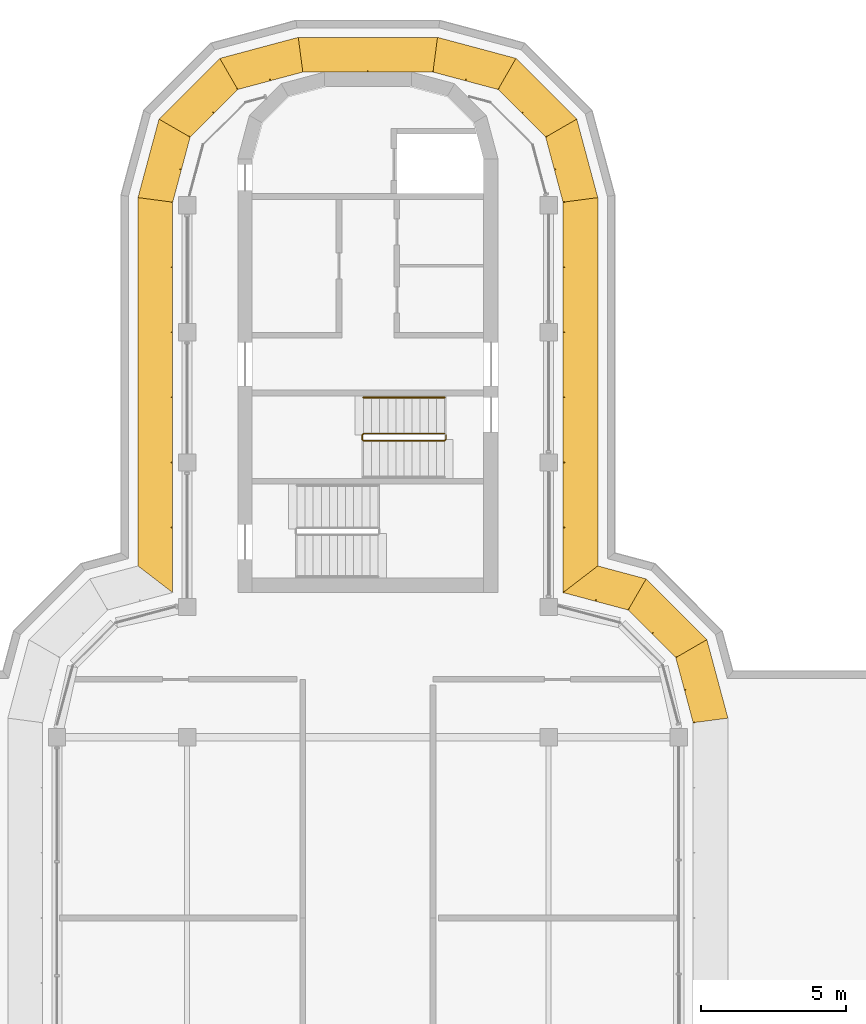
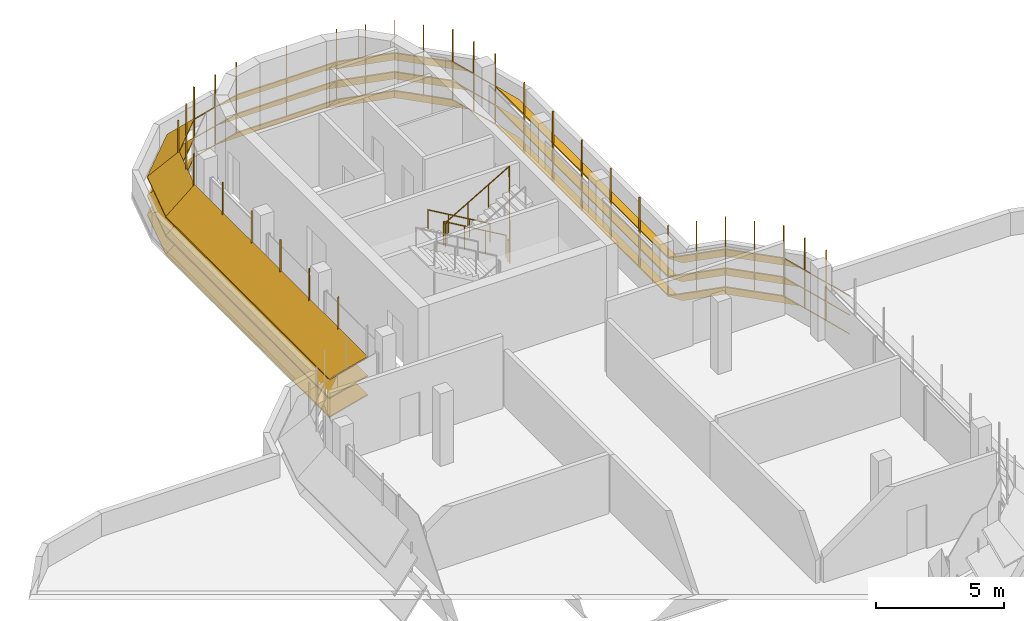
# One storey, part 13 of 13: 6 shading devices, 2 railings.
"""IFC4 building model written with IfcOpenShell, lengths in metres."""

from ifc_helpers import new_model, si_unit, direction, frame, origin, origin_2d, place, context, subcontext, project, spatial, polyline, circle, outline, extrude, faceted_brep, source, transform, mapped, material, type_object, element, save


model = new_model("IFC4")

# Units and contexts
model_context = context("Model", 3, precision=1e-05, world=origin(), true_north=direction((0.0, 1.0)))
body_context = subcontext(model_context, "Body", "Model", "MODEL_VIEW")
ifc_project = project(units=[si_unit("LENGTHUNIT", "METRE"), si_unit("AREAUNIT", "SQUARE_METRE"), si_unit("VOLUMEUNIT", "CUBIC_METRE"), si_unit("PLANEANGLEUNIT", "RADIAN"), si_unit("MASSUNIT", "GRAM", prefix="KILO")], contexts=[model_context])

# Site, building, storey
site_placement = place(None, origin())
site = spatial("IfcSite", under=ifc_project, at=site_placement, CompositionType="ELEMENT")
building_placement = place(site_placement, origin())
building = spatial("IfcBuilding", under=site, at=building_placement, Name="Zarbagh Exchange Tower", CompositionType="ELEMENT")
storey_placement = place(building_placement, frame((0.0, 0.0, 298.800048828125)))
storey = spatial("IfcBuildingStorey", under=building, at=storey_placement, Name="L73", CompositionType="ELEMENT", Elevation=298.800048828125)

# Railings
ifc_material_1 = material(Name="Stainless steel", Category="steel")
railing_type_1 = type_object("IfcRailingType", Name="Stair guard 1100 mm", PredefinedType="GUARDRAIL", material=ifc_material_1)
railing_1_placement = place(storey_placement, frame((2.64990234375, 16.75, 0.16357421875)))
element("IfcRailing", 1, at=railing_1_placement, inside=storey, type_object=railing_type_1, Name="ST1 stair guard 1", PredefinedType="GUARDRAIL", context=body_context, shape_type="SweptSolid", body=[
    extrude(circle(Radius=0.02392578125, at=origin_2d()), frame((0.0, 0.0, 1.076171875), z_axis=(-0.863341702679, 0.0, 0.504619762213), x_axis=(0.0, -1.0, 0.0)), (0.0, 0.0, 1.0), 3.242919921875),
    extrude(circle(Radius=0.02392578125, at=origin_2d()), frame((-2.7998046875, 0.0, 2.71240234375), z_axis=(-0.707106781187, -0.707106781187, 0.0), x_axis=(0.707106781187, -0.707106781187, 0.0)), (0.0, 0.0, 1.0), 0.07080078125),
    extrude(circle(Radius=0.02392578125, at=origin_2d()), frame((-2.849853515625, -0.050048828125, 2.71240234375), z_axis=(0.0, -1.0, 0.0), x_axis=(1.0, 0.0, 0.0)), (0.0, 0.0, 1.0), 0.14990234375),
    extrude(circle(Radius=0.02392578125, at=origin_2d()), frame((-2.849853515625, -0.199951171875, 2.71240234375), z_axis=(0.280808744504, -0.280808744504, 0.917765164963), x_axis=(0.707106781187, 0.707106781187, 0.0)), (0.0, 0.0, 1.0), 0.17822265625),
    extrude(circle(Radius=0.02392578125, at=origin_2d()), frame((-2.7998046875, -0.25, 2.8759765625), z_axis=(0.863374499697, 0.0, 0.504563646405), x_axis=(0.0, 1.0, 0.0)), (0.0, 0.0, 1.0), 3.242919921875),
    extrude(circle(Radius=0.02392578125, at=origin_2d()), frame((0.0, -0.25, 4.51220703125), z_axis=(0.013900331382, 0.013900331382, -0.999806762117), x_axis=(-0.707106781187, 0.707106781187, 0.0)), (0.0, 0.0, 1.0), 3.6005859375),
    extrude(circle(Radius=0.02392578125, at=origin_2d()), frame((0.050048828125, -0.199951171875, 0.91259765625), z_axis=(0.0, 1.0, 0.0), x_axis=(-1.0, 0.0, 0.0)), (0.0, 0.0, 1.0), 0.14990234375),
    extrude(circle(Radius=0.02099609375, at=origin_2d()), origin(), (0.0, 0.0, 1.0), 1.052001953125),
    extrude(circle(Radius=0.02099609375, at=origin_2d()), frame((-0.933349609375, 0.0, 0.54541015625)), (0.0, 0.0, 1.0), 1.052001953125),
    extrude(circle(Radius=0.02099609375, at=origin_2d()), frame((-1.866455078125, 0.0, 1.091064453125)), (0.0, 0.0, 1.0), 1.052001953125),
    extrude(circle(Radius=0.02099609375, at=origin_2d()), frame((-2.7998046875, 0.0, 1.636474609375)), (0.0, 0.0, 1.0), 1.052001953125),
    extrude(circle(Radius=0.02099609375, at=origin_2d()), frame((-2.849853515625, -0.050048828125, 1.636474609375)), (0.0, 0.0, 1.0), 1.052001953125),
    extrude(circle(Radius=0.02099609375, at=origin_2d()), frame((-2.849853515625, -0.199951171875, 1.636474609375)), (0.0, 0.0, 1.0), 1.052001953125),
    extrude(circle(Radius=0.02099609375, at=origin_2d()), frame((-2.7998046875, -0.25, 1.800048828125)), (0.0, 0.0, 1.0), 1.052001953125),
    extrude(circle(Radius=0.02099609375, at=origin_2d()), frame((-1.866455078125, -0.25, 2.345458984375)), (0.0, 0.0, 1.0), 1.052001953125),
    extrude(circle(Radius=0.02099609375, at=origin_2d()), frame((-0.933349609375, -0.25, 2.890869140625)), (0.0, 0.0, 1.0), 1.052001953125),
    extrude(circle(Radius=0.02099609375, at=origin_2d()), frame((0.0, -0.25, 3.436279296875)), (0.0, 0.0, 1.0), 1.052001953125),
    extrude(circle(Radius=0.02099609375, at=origin_2d()), frame((0.012451171875, -0.237548828125, 2.536376953125)), (0.0, 0.0, 1.0), 1.052001953125),
    extrude(circle(Radius=0.02099609375, at=origin_2d()), frame((0.02490234375, -0.22509765625, 1.63623046875)), (0.0, 0.0, 1.0), 1.052001953125),
    extrude(circle(Radius=0.02099609375, at=origin_2d()), frame((0.03759765625, -0.21240234375, 0.736328125)), (0.0, 0.0, 1.0), 1.052001953125),
    extrude(circle(Radius=0.02099609375, at=origin_2d()), frame((0.050048828125, -0.199951171875, -0.16357421875)), (0.0, 0.0, 1.0), 1.052001953125),
    extrude(circle(Radius=0.02099609375, at=origin_2d()), frame((0.050048828125, -0.050048828125, -0.16357421875)), (0.0, 0.0, 1.0), 1.052001953125),
])
railing_type_2 = type_object("IfcRailingType", Name="Stair handrail 900 mm", PredefinedType="HANDRAIL", material=ifc_material_1)
railing_2_placement = place(storey_placement, frame((2.64990234375, 18.0, 0.16357421875)))
element("IfcRailing", 2, at=railing_2_placement, inside=storey, type_object=railing_type_2, Name="ST1 stair handrail 1", PredefinedType="HANDRAIL", context=body_context, shape_type="SweptSolid", body=[
    extrude(circle(Radius=0.02392578125, at=origin_2d()), frame((0.0, 0.0, 0.8759765625), z_axis=(-0.863341702679, 0.0, 0.504619762213), x_axis=(0.0, -1.0, 0.0)), (0.0, 0.0, 1.0), 3.242919921875),
    extrude(circle(Radius=0.02099609375, at=origin_2d()), origin(), (0.0, 0.0, 1.0), 0.851806640625),
    extrude(circle(Radius=0.02099609375, at=origin_2d()), frame((-0.933349609375, 0.0, 0.54541015625)), (0.0, 0.0, 1.0), 0.851806640625),
    extrude(circle(Radius=0.02099609375, at=origin_2d()), frame((-1.866455078125, 0.0, 1.091064453125)), (0.0, 0.0, 1.0), 0.851806640625),
    extrude(circle(Radius=0.02099609375, at=origin_2d()), frame((-2.7998046875, 0.0, 1.636474609375)), (0.0, 0.0, 1.0), 0.851806640625),
])

# Shading devices
ifc_material_2 = material(Name="Anodised aluminium blades and brackets", Category="aluminium")
shading_device_type = type_object("IfcShadingDeviceType", Name="SUNSHADE louvre band, 45 degree blades", PredefinedType="JALOUSIE", material=ifc_material_2)
shared_shape_1 = source(origin(), body_context, "Body", "Brep", [
    faceted_brep([(0.0, 0.0, 0.0), (0.0, 0.0, -0.056640625), (-0.157958984375, -1.199951171875, -1.256591796875), (-0.157958984375, -1.199951171875, -1.199951171875), (2.65087890625, -1.199951171875, -1.199951171875), (2.65087890625, -1.199951171875, -1.256591796875), (2.329345703125, 0.0, -0.056640625), (2.329345703125, 0.0, 0.0)], [[[0, 1, 2, 3]], [[4, 5, 6, 7]], [[0, 7, 6, 1]], [[1, 6, 5, 2]], [[2, 5, 4, 3]], [[3, 4, 7, 0]]]),
])
shared_shape_2 = source(origin(), body_context, "Body", "Brep", [
    faceted_brep([(0.0, 0.0, 0.0), (0.0, 0.0, -0.056640625), (-0.321533203125, -1.199951171875, -1.256591796875), (-0.321533203125, -1.199951171875, -1.199951171875), (2.65087890625, -1.199951171875, -1.199951171875), (2.65087890625, -1.199951171875, -1.256591796875), (2.329345703125, 0.0, -0.056640625), (2.329345703125, 0.0, 0.0)], [[[0, 1, 2, 3]], [[4, 5, 6, 7]], [[0, 7, 6, 1]], [[1, 6, 5, 2]], [[2, 5, 4, 3]], [[3, 4, 7, 0]]]),
])
shared_shape_3 = source(origin(), body_context, "Body", "Brep", [
    faceted_brep([(0.0, 0.0, 0.0), (0.0, 0.0, -0.056640625), (-0.321533203125, -1.199951171875, -1.256591796875), (-0.321533203125, -1.199951171875, -1.199951171875), (1.40869140625, -1.199951171875, -1.199951171875), (1.40869140625, -1.199951171875, -1.256591796875), (2.329345703125, 0.0, -0.056640625), (2.329345703125, 0.0, 0.0)], [[[0, 1, 2, 3]], [[4, 5, 6, 7]], [[0, 7, 6, 1]], [[1, 6, 5, 2]], [[2, 5, 4, 3]], [[3, 4, 7, 0]]]),
])
shared_shape_4 = source(origin(), body_context, "Body", "SweptSolid", [
    extrude(outline(polyline([(0.0, -0.012451171875), (0.06005859375, -0.012451171875), (0.06005859375, 0.012451171875), (0.0, 0.012451171875), (0.0, -0.012451171875)])), origin(), (0.0, 0.0, 1.0), 3.366455078125),
])
placement = place(storey_placement, origin())
element("IfcShadingDevice", 3, at=placement, inside=storey, type_object=shading_device_type, Name="SS09 sunshade band", PredefinedType="JALOUSIE", context=body_context, shape_type="MappedRepresentation", body=[
    mapped(shared_shape_1, transform((11.25, 6.75, 2.099853515625), x_axis=(-0.258824779902, 0.965924289636, 0.0), y_axis=(-0.965924289636, -0.258824779902, 0.0), z_axis=(0.0, 0.0, 1.0))),
    mapped(shared_shape_1, transform((11.25, 6.75, 1.199951171875), x_axis=(-0.258824779902, 0.965924289636, 0.0), y_axis=(-0.965924289636, -0.258824779902, 0.0), z_axis=(0.0, 0.0, 1.0))),
    mapped(shared_shape_1, transform((11.25, 6.75, 0.300048828125), x_axis=(-0.258824779902, 0.965924289636, 0.0), y_axis=(-0.965924289636, -0.258824779902, 0.0), z_axis=(0.0, 0.0, 1.0))),
    mapped(shared_shape_2, transform((10.647216796875, 9.0, 2.099853515625), x_axis=(-0.707106781187, 0.707106781187, 0.0), y_axis=(-0.707106781187, -0.707106781187, 0.0), z_axis=(0.0, 0.0, 1.0))),
    mapped(shared_shape_2, transform((10.647216796875, 9.0, 1.199951171875), x_axis=(-0.707106781187, 0.707106781187, 0.0), y_axis=(-0.707106781187, -0.707106781187, 0.0), z_axis=(0.0, 0.0, 1.0))),
    mapped(shared_shape_2, transform((10.647216796875, 9.0, 0.300048828125), x_axis=(-0.707106781187, 0.707106781187, 0.0), y_axis=(-0.707106781187, -0.707106781187, 0.0), z_axis=(0.0, 0.0, 1.0))),
    mapped(shared_shape_3, transform((9.0, 10.647216796875, 2.099853515625), x_axis=(-0.965924289636, 0.258824779902, 0.0), y_axis=(-0.258824779902, -0.965924289636, 0.0), z_axis=(0.0, 0.0, 1.0))),
    mapped(shared_shape_3, transform((9.0, 10.647216796875, 1.199951171875), x_axis=(-0.965924289636, 0.258824779902, 0.0), y_axis=(-0.258824779902, -0.965924289636, 0.0), z_axis=(0.0, 0.0, 1.0))),
    mapped(shared_shape_3, transform((9.0, 10.647216796875, 0.300048828125), x_axis=(-0.965924289636, 0.258824779902, 0.0), y_axis=(-0.258824779902, -0.965924289636, 0.0), z_axis=(0.0, 0.0, 1.0))),
    mapped(shared_shape_4, transform((11.25, 6.75, 0.21337890625), x_axis=(0.991444457092, 0.130529263012, 0.0), y_axis=(-0.130529263012, 0.991444457092, 0.0), z_axis=(0.0, 0.0, 1.0))),
    mapped(shared_shape_4, transform((10.948486328125, 7.875, 0.21337890625), x_axis=(0.96592421511, 0.258825058029, 0.0), y_axis=(-0.258825058029, 0.96592421511, 0.0), z_axis=(0.0, 0.0, 1.0))),
    mapped(shared_shape_4, transform((10.647216796875, 9.0, 0.21337890625), x_axis=(0.866023812018, 0.50000275701, 0.0), y_axis=(-0.50000275701, 0.866023812018, 0.0), z_axis=(0.0, 0.0, 1.0))),
    mapped(shared_shape_4, transform((9.823486328125, 9.823486328125, 0.21337890625), x_axis=(0.707106781187, 0.707106781187, 0.0), y_axis=(-0.707106781187, 0.707106781187, 0.0), z_axis=(0.0, 0.0, 1.0))),
    mapped(shared_shape_4, transform((9.0, 10.647216796875, 0.21337890625), x_axis=(0.50000275701, 0.866023812018, 0.0), y_axis=(-0.866023812018, 0.50000275701, 0.0), z_axis=(0.0, 0.0, 1.0))),
    mapped(shared_shape_4, transform((7.875, 10.948486328125, 0.21337890625), x_axis=(0.258825058029, 0.96592421511, 0.0), y_axis=(-0.96592421511, 0.258825058029, 0.0), z_axis=(0.0, 0.0, 1.0))),
])
shared_shape_5 = source(origin(), body_context, "Body", "Brep", [
    faceted_brep([(0.0, 0.0, 0.0), (0.0, 0.0, -0.056640625), (-0.321533203125, -1.199951171875, -1.256591796875), (-0.321533203125, -1.199951171875, -1.199951171875), (2.4873046875, -1.199951171875, -1.199951171875), (2.4873046875, -1.199951171875, -1.256591796875), (2.329345703125, 0.0, -0.056640625), (2.329345703125, 0.0, 0.0)], [[[0, 1, 2, 3]], [[4, 5, 6, 7]], [[0, 7, 6, 1]], [[1, 6, 5, 2]], [[2, 5, 4, 3]], [[3, 4, 7, 0]]]),
])
element("IfcShadingDevice", 4, at=placement, inside=storey, type_object=shading_device_type, Name="SS46 sunshade band", PredefinedType="JALOUSIE", context=body_context, shape_type="MappedRepresentation", body=[
    mapped(shared_shape_1, transform((6.75, 24.75, 2.099853515625), x_axis=(-0.258824779902, 0.965924289636, 0.0), y_axis=(-0.965924289636, -0.258824779902, 0.0), z_axis=(0.0, 0.0, 1.0))),
    mapped(shared_shape_1, transform((6.75, 24.75, 1.199951171875), x_axis=(-0.258824779902, 0.965924289636, 0.0), y_axis=(-0.965924289636, -0.258824779902, 0.0), z_axis=(0.0, 0.0, 1.0))),
    mapped(shared_shape_1, transform((6.75, 24.75, 0.300048828125), x_axis=(-0.258824779902, 0.965924289636, 0.0), y_axis=(-0.965924289636, -0.258824779902, 0.0), z_axis=(0.0, 0.0, 1.0))),
    mapped(shared_shape_2, transform((6.147216796875, 27.0, 2.099853515625), x_axis=(-0.707106781187, 0.707106781187, 0.0), y_axis=(-0.707106781187, -0.707106781187, 0.0), z_axis=(0.0, 0.0, 1.0))),
    mapped(shared_shape_2, transform((6.147216796875, 27.0, 1.199951171875), x_axis=(-0.707106781187, 0.707106781187, 0.0), y_axis=(-0.707106781187, -0.707106781187, 0.0), z_axis=(0.0, 0.0, 1.0))),
    mapped(shared_shape_2, transform((6.147216796875, 27.0, 0.300048828125), x_axis=(-0.707106781187, 0.707106781187, 0.0), y_axis=(-0.707106781187, -0.707106781187, 0.0), z_axis=(0.0, 0.0, 1.0))),
    mapped(shared_shape_5, transform((4.5, 28.647216796875, 2.099853515625), x_axis=(-0.965924289636, 0.258824779902, 0.0), y_axis=(-0.258824779902, -0.965924289636, 0.0), z_axis=(0.0, 0.0, 1.0))),
    mapped(shared_shape_5, transform((4.5, 28.647216796875, 1.199951171875), x_axis=(-0.965924289636, 0.258824779902, 0.0), y_axis=(-0.258824779902, -0.965924289636, 0.0), z_axis=(0.0, 0.0, 1.0))),
    mapped(shared_shape_5, transform((4.5, 28.647216796875, 0.300048828125), x_axis=(-0.965924289636, 0.258824779902, 0.0), y_axis=(-0.258824779902, -0.965924289636, 0.0), z_axis=(0.0, 0.0, 1.0))),
    mapped(shared_shape_4, transform((6.75, 24.75, 0.21337890625), x_axis=(0.991444457092, 0.130529263012, 0.0), y_axis=(-0.130529263012, 0.991444457092, 0.0), z_axis=(0.0, 0.0, 1.0))),
    mapped(shared_shape_4, transform((6.448486328125, 25.875, 0.21337890625), x_axis=(0.96592421511, 0.258825058029, 0.0), y_axis=(-0.258825058029, 0.96592421511, 0.0), z_axis=(0.0, 0.0, 1.0))),
    mapped(shared_shape_4, transform((6.147216796875, 27.0, 0.21337890625), x_axis=(0.866023812018, 0.50000275701, 0.0), y_axis=(-0.50000275701, 0.866023812018, 0.0), z_axis=(0.0, 0.0, 1.0))),
    mapped(shared_shape_4, transform((5.323486328125, 27.823486328125, 0.21337890625), x_axis=(0.707106781187, 0.707106781187, 0.0), y_axis=(-0.707106781187, 0.707106781187, 0.0), z_axis=(0.0, 0.0, 1.0))),
    mapped(shared_shape_4, transform((4.5, 28.647216796875, 0.21337890625), x_axis=(0.50000275701, 0.866023812018, 0.0), y_axis=(-0.866023812018, 0.50000275701, 0.0), z_axis=(0.0, 0.0, 1.0))),
    mapped(shared_shape_4, transform((3.375, 28.948486328125, 0.21337890625), x_axis=(0.258825058029, 0.96592421511, 0.0), y_axis=(-0.96592421511, 0.258825058029, 0.0), z_axis=(0.0, 0.0, 1.0))),
])
element("IfcShadingDevice", 5, at=placement, inside=storey, type_object=shading_device_type, Name="SS48 sunshade band", PredefinedType="JALOUSIE", context=body_context, shape_type="MappedRepresentation", body=[
    mapped(shared_shape_1, transform((-2.25, 29.25, 2.099853515625), x_axis=(-0.965924289636, -0.258824779902, 0.0), y_axis=(0.258824779902, -0.965924289636, 0.0), z_axis=(0.0, 0.0, 1.0))),
    mapped(shared_shape_1, transform((-2.25, 29.25, 1.199951171875), x_axis=(-0.965924289636, -0.258824779902, 0.0), y_axis=(0.258824779902, -0.965924289636, 0.0), z_axis=(0.0, 0.0, 1.0))),
    mapped(shared_shape_1, transform((-2.25, 29.25, 0.300048828125), x_axis=(-0.965924289636, -0.258824779902, 0.0), y_axis=(0.258824779902, -0.965924289636, 0.0), z_axis=(0.0, 0.0, 1.0))),
    mapped(shared_shape_2, transform((-4.5, 28.647216796875, 2.099853515625), x_axis=(-0.707106781187, -0.707106781187, 0.0), y_axis=(0.707106781187, -0.707106781187, 0.0), z_axis=(0.0, 0.0, 1.0))),
    mapped(shared_shape_2, transform((-4.5, 28.647216796875, 1.199951171875), x_axis=(-0.707106781187, -0.707106781187, 0.0), y_axis=(0.707106781187, -0.707106781187, 0.0), z_axis=(0.0, 0.0, 1.0))),
    mapped(shared_shape_2, transform((-4.5, 28.647216796875, 0.300048828125), x_axis=(-0.707106781187, -0.707106781187, 0.0), y_axis=(0.707106781187, -0.707106781187, 0.0), z_axis=(0.0, 0.0, 1.0))),
    mapped(shared_shape_5, transform((-6.147216796875, 27.0, 2.099853515625), x_axis=(-0.258824779902, -0.965924289636, 0.0), y_axis=(0.965924289636, -0.258824779902, 0.0), z_axis=(0.0, 0.0, 1.0))),
    mapped(shared_shape_5, transform((-6.147216796875, 27.0, 1.199951171875), x_axis=(-0.258824779902, -0.965924289636, 0.0), y_axis=(0.965924289636, -0.258824779902, 0.0), z_axis=(0.0, 0.0, 1.0))),
    mapped(shared_shape_5, transform((-6.147216796875, 27.0, 0.300048828125), x_axis=(-0.258824779902, -0.965924289636, 0.0), y_axis=(0.965924289636, -0.258824779902, 0.0), z_axis=(0.0, 0.0, 1.0))),
    mapped(shared_shape_4, transform((-2.25, 29.25, 0.21337890625), x_axis=(-0.130529263012, 0.991444457092, 0.0), y_axis=(-0.991444457092, -0.130529263012, 0.0), z_axis=(0.0, 0.0, 1.0))),
    mapped(shared_shape_4, transform((-3.375, 28.948486328125, 0.21337890625), x_axis=(-0.258825058029, 0.96592421511, 0.0), y_axis=(-0.96592421511, -0.258825058029, 0.0), z_axis=(0.0, 0.0, 1.0))),
    mapped(shared_shape_4, transform((-4.5, 28.647216796875, 0.21337890625), x_axis=(-0.50000275701, 0.866023812018, 0.0), y_axis=(-0.866023812018, -0.50000275701, 0.0), z_axis=(0.0, 0.0, 1.0))),
    mapped(shared_shape_4, transform((-5.323486328125, 27.823486328125, 0.21337890625), x_axis=(-0.707106781187, 0.707106781187, 0.0), y_axis=(-0.707106781187, -0.707106781187, 0.0), z_axis=(0.0, 0.0, 1.0))),
    mapped(shared_shape_4, transform((-6.147216796875, 27.0, 0.21337890625), x_axis=(-0.866023812018, 0.50000275701, 0.0), y_axis=(-0.50000275701, -0.866023812018, 0.0), z_axis=(0.0, 0.0, 1.0))),
    mapped(shared_shape_4, transform((-6.448486328125, 25.875, 0.21337890625), x_axis=(-0.96592421511, 0.258825058029, 0.0), y_axis=(-0.258825058029, -0.96592421511, 0.0), z_axis=(0.0, 0.0, 1.0))),
])
shared_shape_6 = source(origin(), body_context, "Body", "Brep", [
    faceted_brep([(0.0, 0.0, 0.0), (0.0, 0.0, -0.056640625), (0.9208984375, -1.199951171875, -1.256591796875), (0.9208984375, -1.199951171875, -1.199951171875), (13.657958984375, -1.199951171875, -1.199951171875), (13.657958984375, -1.199951171875, -1.256591796875), (13.5, 0.0, -0.056640625), (13.5, 0.0, 0.0)], [[[0, 1, 2, 3]], [[4, 5, 6, 7]], [[0, 7, 6, 1]], [[1, 6, 5, 2]], [[2, 5, 4, 3]], [[3, 4, 7, 0]]]),
])
element("IfcShadingDevice", 6, at=placement, inside=storey, type_object=shading_device_type, Name="SS45 sunshade band", PredefinedType="JALOUSIE", context=body_context, shape_type="MappedRepresentation", body=[
    mapped(shared_shape_6, transform((6.75, 11.25, 2.099853515625), x_axis=(0.0, 1.0, 0.0), y_axis=(-1.0, 0.0, 0.0), z_axis=(0.0, 0.0, 1.0))),
    mapped(shared_shape_6, transform((6.75, 11.25, 1.199951171875), x_axis=(0.0, 1.0, 0.0), y_axis=(-1.0, 0.0, 0.0), z_axis=(0.0, 0.0, 1.0))),
    mapped(shared_shape_6, transform((6.75, 11.25, 0.300048828125), x_axis=(0.0, 1.0, 0.0), y_axis=(-1.0, 0.0, 0.0), z_axis=(0.0, 0.0, 1.0))),
    mapped(shared_shape_4, transform((6.75, 11.25, 0.21337890625), x_axis=(0.793355287, 0.608758892, 0.0), y_axis=(-0.608758892, 0.793355287, 0.0), z_axis=(0.0, 0.0, 1.0))),
    mapped(shared_shape_4, transform((6.75, 13.5, 0.21337890625), x_axis=(1.0, 0.0, 0.0), y_axis=(0.0, 1.0, 0.0), z_axis=(0.0, 0.0, 1.0))),
    mapped(shared_shape_4, transform((6.75, 15.75, 0.21337890625), x_axis=(1.0, 0.0, 0.0), y_axis=(0.0, 1.0, 0.0), z_axis=(0.0, 0.0, 1.0))),
    mapped(shared_shape_4, transform((6.75, 18.0, 0.21337890625), x_axis=(1.0, 0.0, 0.0), y_axis=(0.0, 1.0, 0.0), z_axis=(0.0, 0.0, 1.0))),
    mapped(shared_shape_4, transform((6.75, 20.25, 0.21337890625), x_axis=(1.0, 0.0, 0.0), y_axis=(0.0, 1.0, 0.0), z_axis=(0.0, 0.0, 1.0))),
    mapped(shared_shape_4, transform((6.75, 22.5, 0.21337890625), x_axis=(1.0, 0.0, 0.0), y_axis=(0.0, 1.0, 0.0), z_axis=(0.0, 0.0, 1.0))),
])
shared_shape_7 = source(origin(), body_context, "Body", "Brep", [
    faceted_brep([(0.0, 0.0, 0.0), (0.0, 0.0, -0.056640625), (-0.157958984375, -1.199951171875, -1.256591796875), (-0.157958984375, -1.199951171875, -1.199951171875), (4.657958984375, -1.199951171875, -1.199951171875), (4.657958984375, -1.199951171875, -1.256591796875), (4.5, 0.0, -0.056640625), (4.5, 0.0, 0.0)], [[[0, 1, 2, 3]], [[4, 5, 6, 7]], [[0, 7, 6, 1]], [[1, 6, 5, 2]], [[2, 5, 4, 3]], [[3, 4, 7, 0]]]),
])
element("IfcShadingDevice", 7, at=placement, inside=storey, type_object=shading_device_type, Name="SS47 sunshade band", PredefinedType="JALOUSIE", context=body_context, shape_type="MappedRepresentation", body=[
    mapped(shared_shape_7, transform((2.25, 29.25, 2.099853515625), x_axis=(-1.0, 0.0, 0.0), y_axis=(0.0, -1.0, 0.0), z_axis=(0.0, 0.0, 1.0))),
    mapped(shared_shape_7, transform((2.25, 29.25, 1.199951171875), x_axis=(-1.0, 0.0, 0.0), y_axis=(0.0, -1.0, 0.0), z_axis=(0.0, 0.0, 1.0))),
    mapped(shared_shape_7, transform((2.25, 29.25, 0.300048828125), x_axis=(-1.0, 0.0, 0.0), y_axis=(0.0, -1.0, 0.0), z_axis=(0.0, 0.0, 1.0))),
    mapped(shared_shape_4, transform((2.25, 29.25, 0.21337890625), x_axis=(0.130529263012, 0.991444457092, 0.0), y_axis=(-0.991444457092, 0.130529263012, 0.0), z_axis=(0.0, 0.0, 1.0))),
    mapped(shared_shape_4, transform((0.0, 29.25, 0.21337890625), x_axis=(0.0, 1.0, 0.0), y_axis=(-1.0, 0.0, 0.0), z_axis=(0.0, 0.0, 1.0))),
])
shared_shape_8 = source(origin(), body_context, "Body", "Brep", [
    faceted_brep([(0.0, 0.0, 0.0), (0.0, 0.0, -0.056640625), (-0.157958984375, -1.199951171875, -1.256591796875), (-0.157958984375, -1.199951171875, -1.199951171875), (12.5791015625, -1.199951171875, -1.199951171875), (12.5791015625, -1.199951171875, -1.256591796875), (13.5, 0.0, -0.056640625), (13.5, 0.0, 0.0)], [[[0, 1, 2, 3]], [[4, 5, 6, 7]], [[0, 7, 6, 1]], [[1, 6, 5, 2]], [[2, 5, 4, 3]], [[3, 4, 7, 0]]]),
])
element("IfcShadingDevice", 8, at=placement, inside=storey, type_object=shading_device_type, Name="SS49 sunshade band", PredefinedType="JALOUSIE", context=body_context, shape_type="MappedRepresentation", body=[
    mapped(shared_shape_8, transform((-6.75, 24.75, 2.099853515625), x_axis=(0.0, -1.0, 0.0), y_axis=(1.0, 0.0, 0.0), z_axis=(0.0, 0.0, 1.0))),
    mapped(shared_shape_8, transform((-6.75, 24.75, 1.199951171875), x_axis=(0.0, -1.0, 0.0), y_axis=(1.0, 0.0, 0.0), z_axis=(0.0, 0.0, 1.0))),
    mapped(shared_shape_8, transform((-6.75, 24.75, 0.300048828125), x_axis=(0.0, -1.0, 0.0), y_axis=(1.0, 0.0, 0.0), z_axis=(0.0, 0.0, 1.0))),
    mapped(shared_shape_4, transform((-6.75, 24.75, 0.21337890625), x_axis=(-0.991444457092, 0.130529263012, 0.0), y_axis=(-0.130529263012, -0.991444457092, 0.0), z_axis=(0.0, 0.0, 1.0))),
    mapped(shared_shape_4, transform((-6.75, 22.5, 0.21337890625), x_axis=(-1.0, 0.0, 0.0), y_axis=(0.0, -1.0, 0.0), z_axis=(0.0, 0.0, 1.0))),
    mapped(shared_shape_4, transform((-6.75, 20.25, 0.21337890625), x_axis=(-1.0, 0.0, 0.0), y_axis=(0.0, -1.0, 0.0), z_axis=(0.0, 0.0, 1.0))),
    mapped(shared_shape_4, transform((-6.75, 18.0, 0.21337890625), x_axis=(-1.0, 0.0, 0.0), y_axis=(0.0, -1.0, 0.0), z_axis=(0.0, 0.0, 1.0))),
    mapped(shared_shape_4, transform((-6.75, 15.75, 0.21337890625), x_axis=(-1.0, 0.0, 0.0), y_axis=(0.0, -1.0, 0.0), z_axis=(0.0, 0.0, 1.0))),
    mapped(shared_shape_4, transform((-6.75, 13.5, 0.21337890625), x_axis=(-1.0, 0.0, 0.0), y_axis=(0.0, -1.0, 0.0), z_axis=(0.0, 0.0, 1.0))),
])

save(model, "model.ifc")
